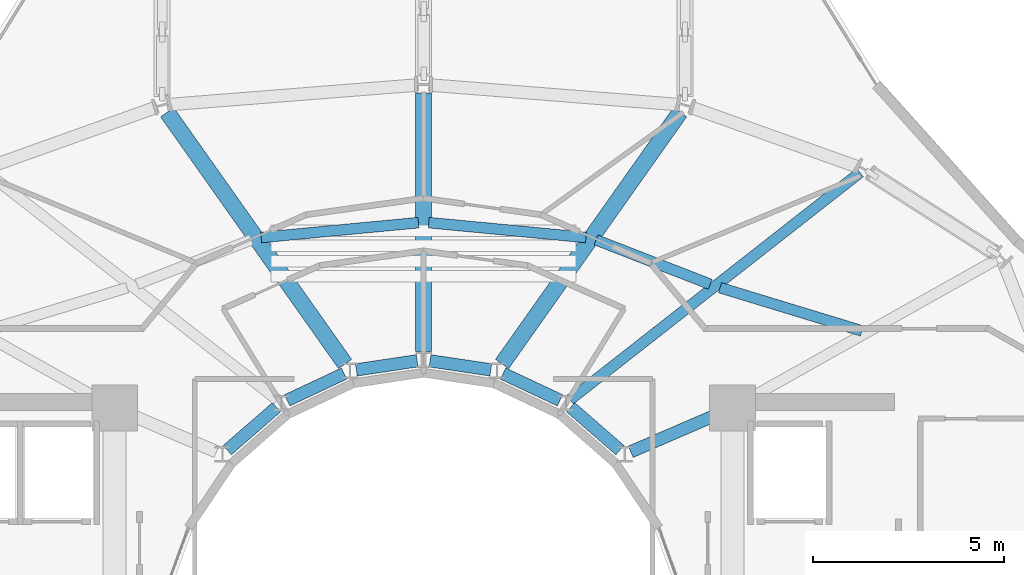
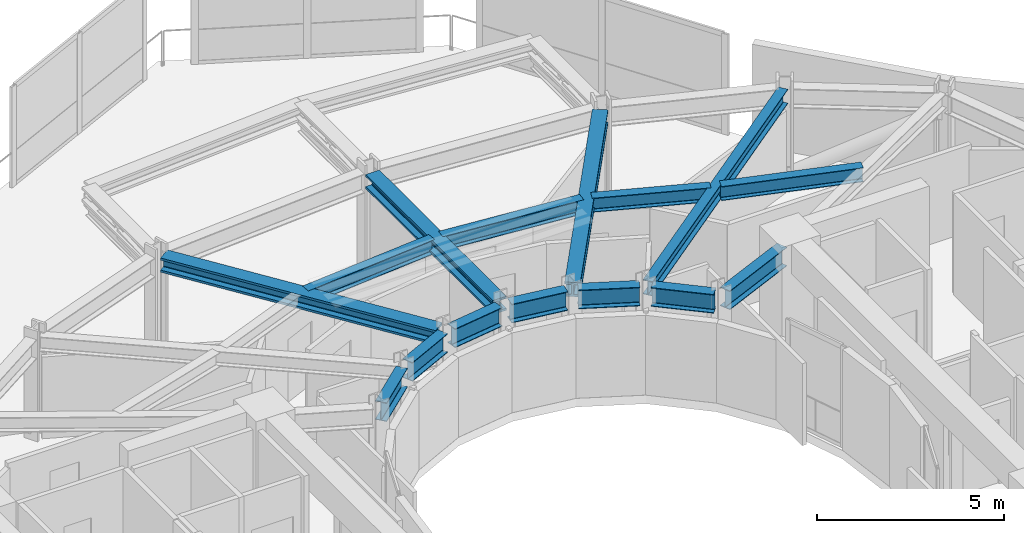
# One storey, part 10 of 24: 15 beams.
"""IFC4 building model written with IfcOpenShell, lengths in metres."""

from ifc_helpers import new_model, si_unit, direction, frame, origin, origin_2d, place, context, subcontext, project, spatial, i_section, extrude, material, material_profile, profile_set, type_object, element, save


model = new_model("IFC4")

# Units and contexts
model_context = context("Model", 3, precision=1e-05, world=origin(), true_north=direction((0.0, 1.0)))
body_context = subcontext(model_context, "Body", "Model", "MODEL_VIEW")
ifc_project = project(units=[si_unit("LENGTHUNIT", "METRE"), si_unit("AREAUNIT", "SQUARE_METRE"), si_unit("VOLUMEUNIT", "CUBIC_METRE"), si_unit("PLANEANGLEUNIT", "RADIAN"), si_unit("MASSUNIT", "GRAM", prefix="KILO")], contexts=[model_context])

# Site, building, storey
site_placement = place(None, origin())
site = spatial("IfcSite", under=ifc_project, at=site_placement, CompositionType="ELEMENT")
building_placement = place(site_placement, origin())
building = spatial("IfcBuilding", under=site, at=building_placement, Name="Solvane Sanctuary Tower", CompositionType="ELEMENT")
storey_placement = place(building_placement, frame((0.0, 0.0, 253.199951171875)))
storey = spatial("IfcBuildingStorey", under=building, at=storey_placement, Name="L77", CompositionType="ELEMENT", Elevation=253.199951171875)

# Beams
ifc_material_1 = material(Name="Steel ASTM A913 Grade 65", Category="steel")
ifc_material_profile_1 = material_profile(ifc_material_1, i_section(OverallWidth=0.422119140625, OverallDepth=0.465087890625, WebThickness=0.044921875, FlangeThickness=0.072509765625, FilletRadius=0.02490234375, at=origin_2d()), Name="W14X398")
ifc_profile_set_1 = profile_set([ifc_material_profile_1], Name="Steel ASTM A913 Grade 65")
beam_type_1 = type_object("IfcBeamType", Name="Beam B-CANT-CH W14X398", PredefinedType="BEAM", material=ifc_profile_set_1)
beam_1_placement = place(storey_placement, frame((29.942138671875, 31.351318359375, 3.08544921875), z_axis=(-0.577262901024, 0.816558352539, 0.0), x_axis=(-0.816558352539, -0.577262901024, 0.0)))
element("IfcBeam", 1, at=beam_1_placement, inside=storey, type_object=beam_type_1, Name="L77 Sky-Dining Truss Backspan Chord C05", PredefinedType="BEAM", context=body_context, shape_type="SweptSolid", body=[
    extrude(i_section(OverallWidth=0.422119140625, OverallDepth=0.465087890625, WebThickness=0.044921875, FlangeThickness=0.072509765625, FilletRadius=0.02490234375, at=origin_2d()), origin(), (0.0, 0.0, 1.0), 8.08349609375),
])
beam_2_placement = place(storey_placement, frame((32.0, 31.679931640625, 3.08544921875), z_axis=(0.0, 1.0, 0.0), x_axis=(-1.0, 0.0, 0.0)))
element("IfcBeam", 2, at=beam_2_placement, inside=storey, type_object=beam_type_1, Name="L77 Sky-Dining Truss Backspan Chord C04", PredefinedType="BEAM", context=body_context, shape_type="SweptSolid", body=[
    extrude(i_section(OverallWidth=0.422119140625, OverallDepth=0.465087890625, WebThickness=0.044921875, FlangeThickness=0.072509765625, FilletRadius=0.02490234375, at=origin_2d()), origin(), (0.0, 0.0, 1.0), 6.779052734375),
])
beam_3_placement = place(storey_placement, frame((34.057861328125, 31.351318359375, 3.08544921875), z_axis=(0.577262901024, 0.816558352539, 0.0), x_axis=(-0.816558352539, 0.577262901024, 0.0)))
element("IfcBeam", 3, at=beam_3_placement, inside=storey, type_object=beam_type_1, Name="L77 Sky-Dining Truss Backspan Chord C03", PredefinedType="BEAM", context=body_context, shape_type="SweptSolid", body=[
    extrude(i_section(OverallWidth=0.422119140625, OverallDepth=0.465087890625, WebThickness=0.044921875, FlangeThickness=0.072509765625, FilletRadius=0.02490234375, at=origin_2d()), origin(), (0.0, 0.0, 1.0), 8.08349609375),
])
ifc_material_2 = material(Name="Steel ASTM A992 Grade 50", Category="steel")
ifc_material_profile_2 = material_profile(ifc_material_2, i_section(OverallWidth=0.282958984375, OverallDepth=0.471923828125, WebThickness=0.013671875, FlangeThickness=0.022216796875, FilletRadius=0.013916015625, at=origin_2d()), Name="W18X97")
ifc_profile_set_2 = profile_set([ifc_material_profile_2], Name="Steel ASTM A992 Grade 50")
beam_type_2 = type_object("IfcBeamType", Name="Beam B-RAD-Z4 W18X97", PredefinedType="JOIST", material=ifc_profile_set_2)
beam_4_placement = place(storey_placement, frame((35.840087890625, 30.412841796875, 3.08203125), z_axis=(0.787179592087, 0.616723835927, 0.0), x_axis=(-0.616723835927, 0.787179592087, 0.0)))
element("IfcBeam", 4, at=beam_4_placement, inside=storey, type_object=beam_type_2, Name="L77 Radial Composite Floor Beam 02", PredefinedType="JOIST", context=body_context, shape_type="SweptSolid", body=[
    extrude(i_section(OverallWidth=0.282958984375, OverallDepth=0.471923828125, WebThickness=0.013671875, FlangeThickness=0.022216796875, FilletRadius=0.013916015625, at=origin_2d()), origin(), (0.0, 0.0, 1.0), 9.66064453125),
])
ifc_material_profile_3 = material_profile(ifc_material_2, i_section(OverallWidth=0.324951171875, OverallDepth=0.615966796875, WebThickness=0.013916015625, FlangeThickness=0.021484375, FilletRadius=0.01611328125, at=origin_2d()), Name="W24X117")
ifc_profile_set_3 = profile_set([ifc_material_profile_3], Name="Steel ASTM A992 Grade 50")
beam_type_3 = type_object("IfcBeamType", Name="Beam B-RING-IN2 W24X117", PredefinedType="BEAM", material=ifc_profile_set_3)
beam_5_placement = place(storey_placement, frame((26.853271484375, 29.09375, 3.010009765625), z_axis=(0.754362388825, 0.656458213694, 0.0), x_axis=(-0.656458213694, 0.754362388825, 0.0)))
element("IfcBeam", 5, at=beam_5_placement, inside=storey, type_object=beam_type_3, Name="L77 Inner Light-Well Ring Beam IC07-IC06", PredefinedType="BEAM", context=body_context, shape_type="SweptSolid", body=[
    extrude(i_section(OverallWidth=0.324951171875, OverallDepth=0.615966796875, WebThickness=0.013916015625, FlangeThickness=0.021484375, FilletRadius=0.01611328125, at=origin_2d()), origin(), (0.0, 0.0, 1.0), 1.708251953125),
])
beam_6_placement = place(storey_placement, frame((28.423828125, 30.39892578125, 3.010009765625), z_axis=(0.905150857291, 0.425090491008, 0.0), x_axis=(-0.425090491008, 0.905150857291, 0.0)))
element("IfcBeam", 6, at=beam_6_placement, inside=storey, type_object=beam_type_3, Name="L77 Inner Light-Well Ring Beam IC06-IC05", PredefinedType="BEAM", context=body_context, shape_type="SweptSolid", body=[
    extrude(i_section(OverallWidth=0.324951171875, OverallDepth=0.615966796875, WebThickness=0.013916015625, FlangeThickness=0.021484375, FilletRadius=0.01611328125, at=origin_2d()), origin(), (0.0, 0.0, 1.0), 1.647705078125),
])
for number, where, z_axis, x_axis, name in (
    (7, (30.2373046875, 31.19677734375, 3.010009765625), (0.989039416515, 0.147651727316, 0.0), (-0.147651727316, 0.989039416515, 0.0), "L77 Inner Light-Well Ring Beam IC05-IC04"),
    (8, (32.168212890625, 31.434814453125, 3.010009765625), (0.989039416515, -0.147651727316, 0.0), (0.147651727316, 0.989039416515, 0.0), "L77 Inner Light-Well Ring Beam IC04-IC03"),
):
    element("IfcBeam", number, at=place(storey_placement, frame(where, z_axis=z_axis, x_axis=x_axis)), inside=storey, type_object=beam_type_3, Name=name, PredefinedType="BEAM", context=body_context, shape_type="SweptSolid", body=[
        extrude(i_section(OverallWidth=0.324951171875, OverallDepth=0.615966796875, WebThickness=0.013916015625, FlangeThickness=0.021484375, FilletRadius=0.01611328125, at=origin_2d()), origin(), (0.0, 0.0, 1.0), 1.612060546875),
    ])
beam_7_placement = place(storey_placement, frame((34.084716796875, 31.099365234375, 3.010009765625), z_axis=(0.905150857291, -0.425090491008, 0.0), x_axis=(0.425090491008, 0.905150857291, 0.0)))
element("IfcBeam", 9, at=beam_7_placement, inside=storey, type_object=beam_type_3, Name="L77 Inner Light-Well Ring Beam IC03-IC02", PredefinedType="BEAM", context=body_context, shape_type="SweptSolid", body=[
    extrude(i_section(OverallWidth=0.324951171875, OverallDepth=0.615966796875, WebThickness=0.013916015625, FlangeThickness=0.021484375, FilletRadius=0.01611328125, at=origin_2d()), origin(), (0.0, 0.0, 1.0), 1.647705078125),
])
beam_8_placement = place(storey_placement, frame((35.858154296875, 30.215087890625, 3.010009765625), z_axis=(0.754362388825, -0.656458213694, 0.0), x_axis=(0.656458213694, 0.754362388825, 0.0)))
element("IfcBeam", 10, at=beam_8_placement, inside=storey, type_object=beam_type_3, Name="L77 Inner Light-Well Ring Beam IC02-IC01", PredefinedType="BEAM", context=body_context, shape_type="SweptSolid", body=[
    extrude(i_section(OverallWidth=0.324951171875, OverallDepth=0.615966796875, WebThickness=0.013916015625, FlangeThickness=0.021484375, FilletRadius=0.01611328125, at=origin_2d()), origin(), (0.0, 0.0, 1.0), 1.708251953125),
])
beam_9_placement = place(storey_placement, frame((37.43115234375, 29.04931640625, 3.010009765625), z_axis=(0.918254967668, 0.395989664453, 0.0), x_axis=(-0.395989664453, 0.918254967668, 0.0)))
element("IfcBeam", 11, at=beam_9_placement, inside=storey, type_object=beam_type_3, Name="L77 Inner Light-Well Ring Beam IC01-CE4", PredefinedType="BEAM", context=body_context, shape_type="SweptSolid", body=[
    extrude(i_section(OverallWidth=0.324951171875, OverallDepth=0.615966796875, WebThickness=0.013916015625, FlangeThickness=0.021484375, FilletRadius=0.01611328125, at=origin_2d()), origin(), (0.0, 0.0, 1.0), 2.54638671875),
])
ifc_material_profile_4 = material_profile(ifc_material_2, i_section(OverallWidth=0.280029296875, OverallDepth=0.462890625, WebThickness=0.0107421875, FlangeThickness=0.017333984375, FilletRadius=0.013916015625, at=origin_2d()), Name="W18X76")
ifc_profile_set_4 = profile_set([ifc_material_profile_4], Name="Steel ASTM A992 Grade 50")
beam_type_4 = type_object("IfcBeamType", Name="Beam B-SEC-JOIST W18X76", PredefinedType="JOIST", material=ifc_profile_set_4)
for number, where, z_axis, x_axis, name in (
    (12, (27.742431640625, 34.667724609375, 3.086669921875), (0.995566487685, 0.094060451834, 0.0), (-0.094060451834, 0.995566487685, 0.0), "L77 Secondary Circumferential Joist 05-04"),
    (13, (32.135986328125, 35.05712890625, 3.086669921875), (0.995566487685, -0.094060451834, 0.0), (0.094060451834, 0.995566487685, 0.0), "L77 Secondary Circumferential Joist 04-03"),
):
    element("IfcBeam", number, at=place(storey_placement, frame(where, z_axis=z_axis, x_axis=x_axis)), inside=storey, type_object=beam_type_4, Name=name, PredefinedType="JOIST", context=body_context, shape_type="SweptSolid", body=[
        extrude(i_section(OverallWidth=0.280029296875, OverallDepth=0.462890625, WebThickness=0.0107421875, FlangeThickness=0.017333984375, FilletRadius=0.013916015625, at=origin_2d()), origin(), (0.0, 0.0, 1.0), 4.139892578125),
    ])
beam_10_placement = place(storey_placement, frame((36.520751953125, 34.60546875, 3.086669921875), z_axis=(0.93205885038, -0.362306913306, 0.0), x_axis=(0.362306913306, 0.93205885038, 0.0)))
element("IfcBeam", 14, at=beam_10_placement, inside=storey, type_object=beam_type_4, Name="L77 Secondary Circumferential Joist 03-02", PredefinedType="JOIST", context=body_context, shape_type="SweptSolid", body=[
    extrude(i_section(OverallWidth=0.280029296875, OverallDepth=0.462890625, WebThickness=0.0107421875, FlangeThickness=0.017333984375, FilletRadius=0.013916015625, at=origin_2d()), origin(), (0.0, 0.0, 1.0), 3.212890625),
])
beam_11_placement = place(storey_placement, frame((39.773193359375, 33.35205078125, 3.086669921875), z_axis=(0.95661833979, -0.291344044005, 0.0), x_axis=(0.291344044005, 0.95661833979, 0.0)))
element("IfcBeam", 15, at=beam_11_placement, inside=storey, type_object=beam_type_4, Name="L77 Secondary Circumferential Joist 02-01", PredefinedType="JOIST", context=body_context, shape_type="SweptSolid", body=[
    extrude(i_section(OverallWidth=0.280029296875, OverallDepth=0.462890625, WebThickness=0.0107421875, FlangeThickness=0.017333984375, FilletRadius=0.013916015625, at=origin_2d()), origin(), (0.0, 0.0, 1.0), 3.887451171875),
])

save(model, "model.ifc")
